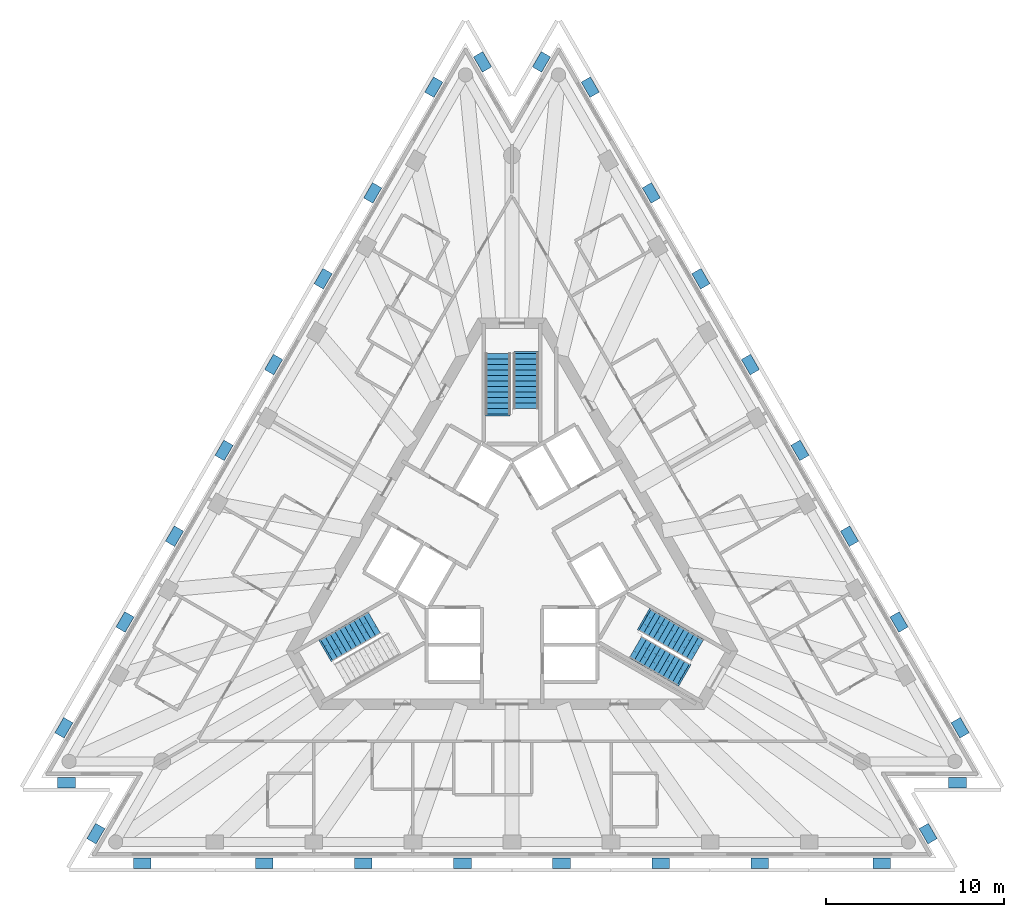
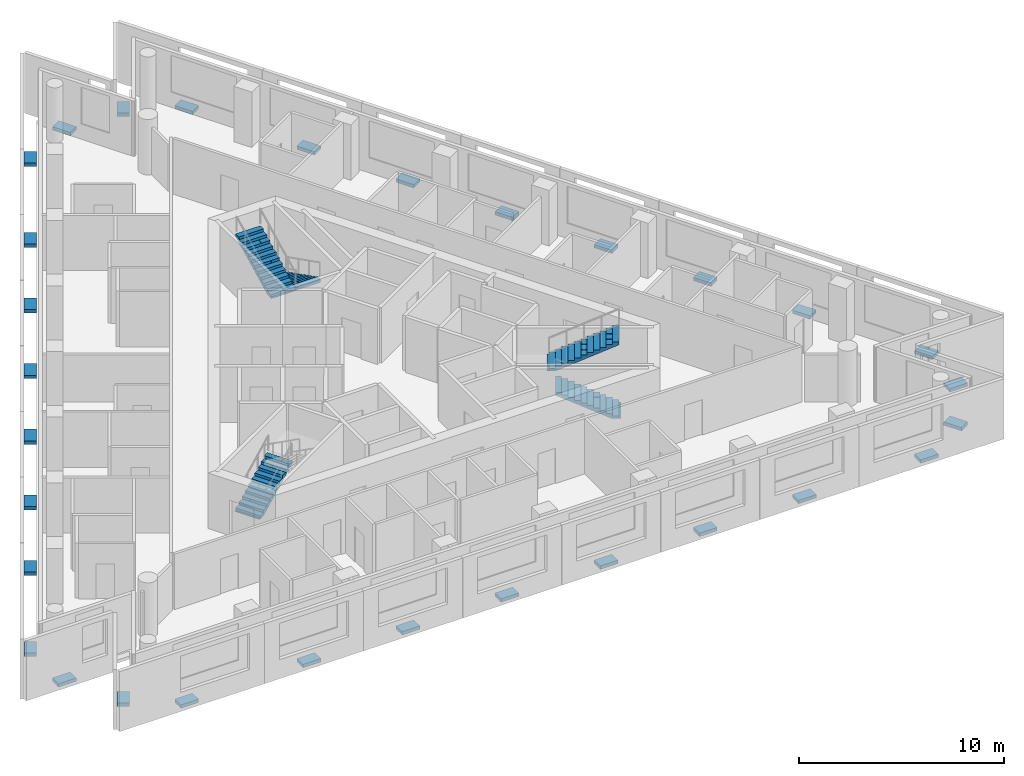
# One storey, part 8 of 10: 30 discrete accessories, 5 stair flights, 3 elements without a shape of their own.
"""IFC4 building model written with IfcOpenShell, lengths in metres."""

from ifc_helpers import new_model, si_unit, direction, frame, origin, origin_2d, place, context, subcontext, project, spatial, polyline, rectangle, outline, extrude, material, type_object, element, aggregate, save


model = new_model("IFC4")

# Units and contexts
model_context = context("Model", 3, precision=1e-05, world=origin(), true_north=direction((0.0, 1.0)))
body_context = subcontext(model_context, "Body", "Model", "MODEL_VIEW")
ifc_project = project(units=[si_unit("LENGTHUNIT", "METRE"), si_unit("AREAUNIT", "SQUARE_METRE"), si_unit("VOLUMEUNIT", "CUBIC_METRE"), si_unit("PLANEANGLEUNIT", "RADIAN"), si_unit("MASSUNIT", "GRAM", prefix="KILO")], contexts=[model_context])

# Site, building, storey
site_placement = place(None, origin())
site = spatial("IfcSite", under=ifc_project, at=site_placement, CompositionType="ELEMENT")
building_placement = place(site_placement, origin())
building = spatial("IfcBuilding", under=site, at=building_placement, Name="Triada Interchange Tower", CompositionType="ELEMENT")
storey_placement = place(building_placement, frame((0.0, 0.0, 271.89990234375)))
storey = spatial("IfcBuildingStorey", under=building, at=storey_placement, Name="L63", CompositionType="ELEMENT", Elevation=271.89990234375)

# Stair, stair flights
ifc_material_1 = material(Name="Concrete C35/45", Category="concrete")
stair_type = type_object("IfcStairType", Name="HALF TURN STAIR 1400", PredefinedType="HALF_TURN_STAIR", material=ifc_material_1)
stair_1_placement = place(storey_placement, origin())
stair_1 = element("IfcStair", 1, at=stair_1_placement, inside=storey, type_object=stair_type, Name="Exit stair S62-1", PredefinedType="HALF_TURN_STAIR")
stair_flight_type = type_object("IfcStairFlightType", Name="STRAIGHT STAIR FLIGHT 1400", PredefinedType="STRAIGHT", material=ifc_material_1)
stair_flight_1_placement = place(storey_placement, frame((0.800048828125, 11.60009765625, 0.0), z_axis=(0.0, 0.0, 1.0), x_axis=(0.0, -1.0, 0.0)))
stair_flight_1 = element("IfcStairFlight", 2, at=stair_flight_1_placement, type_object=stair_flight_type, Name="S62-1 flight 1", NumberOfRisers=11, NumberOfTreads=10, PredefinedType="STRAIGHT", RiserHeight=0.15652, TreadLength=0.31, context=body_context, shape_type="SweptSolid", body=[
    extrude(outline(polyline([(-0.10009765625, 0.0), (-0.10009765625, 0.02001953125), (0.0, 0.02001953125), (0.0, 0.156494140625), (0.31005859375, 0.156494140625), (0.31005859375, 0.31298828125), (0.6201171875, 0.31298828125), (0.6201171875, 0.469482421875), (0.929931640625, 0.469482421875), (0.929931640625, 0.6259765625), (1.239990234375, 0.6259765625), (1.239990234375, 0.78271484375), (1.550048828125, 0.78271484375), (1.550048828125, 0.939208984375), (1.860107421875, 0.939208984375), (1.860107421875, 1.095703125), (2.169921875, 1.095703125), (2.169921875, 1.252197265625), (2.47998046875, 1.252197265625), (2.47998046875, 1.40869140625), (2.7900390625, 1.40869140625), (2.7900390625, 1.565185546875), (3.10009765625, 1.565185546875), (3.10400390625, 1.565185546875), (3.10400390625, 1.7216796875), (3.10400390625, 1.397216796875), (0.33251953125, 0.0), (-0.10009765625, 0.0)])), frame((0.0, 0.699951171875, 0.0), z_axis=(0.0, -1.0, 0.0), x_axis=(1.0, 0.0, 0.0)), (0.0, 0.0, 1.0), 0.46533203125),
    extrude(outline(polyline([(-0.10009765625, 0.0), (-0.10009765625, 0.02001953125), (0.0, 0.02001953125), (0.0, 0.156494140625), (0.31005859375, 0.156494140625), (0.31005859375, 0.31298828125), (0.6201171875, 0.31298828125), (0.6201171875, 0.469482421875), (0.929931640625, 0.469482421875), (0.929931640625, 0.6259765625), (1.239990234375, 0.6259765625), (1.239990234375, 0.78271484375), (1.550048828125, 0.78271484375), (1.550048828125, 0.939208984375), (1.860107421875, 0.939208984375), (1.860107421875, 1.095703125), (2.169921875, 1.095703125), (2.169921875, 1.252197265625), (2.47998046875, 1.252197265625), (2.47998046875, 1.40869140625), (2.7900390625, 1.40869140625), (2.7900390625, 1.565185546875), (3.10009765625, 1.565185546875), (3.10400390625, 1.565185546875), (3.10400390625, 1.7216796875), (3.10400390625, 1.397216796875), (0.33251953125, 0.0), (-0.10009765625, 0.0)])), frame((0.0, 0.232666015625, 0.0), z_axis=(0.0, -1.0, 0.0), x_axis=(1.0, 0.0, 0.0)), (0.0, 0.0, 1.0), 0.46533203125),
    extrude(outline(polyline([(-0.10009765625, 0.0), (-0.10009765625, 0.02001953125), (0.0, 0.02001953125), (0.0, 0.156494140625), (0.31005859375, 0.156494140625), (0.31005859375, 0.31298828125), (0.6201171875, 0.31298828125), (0.6201171875, 0.469482421875), (0.929931640625, 0.469482421875), (0.929931640625, 0.6259765625), (1.239990234375, 0.6259765625), (1.239990234375, 0.78271484375), (1.550048828125, 0.78271484375), (1.550048828125, 0.939208984375), (1.860107421875, 0.939208984375), (1.860107421875, 1.095703125), (2.169921875, 1.095703125), (2.169921875, 1.252197265625), (2.47998046875, 1.252197265625), (2.47998046875, 1.40869140625), (2.7900390625, 1.40869140625), (2.7900390625, 1.565185546875), (3.10009765625, 1.565185546875), (3.10400390625, 1.565185546875), (3.10400390625, 1.7216796875), (3.10400390625, 1.397216796875), (0.33251953125, 0.0), (-0.10009765625, 0.0)])), frame((0.0, -0.234619140625, 0.0), z_axis=(0.0, -1.0, 0.0), x_axis=(1.0, 0.0, 0.0)), (0.0, 0.0, 1.0), 0.46533203125),
])
stair_flight_2_placement = place(storey_placement, frame((-0.800048828125, 8.18994140625, 1.7216796875), z_axis=(0.0, 0.0, 1.0), x_axis=(0.0, 1.0, 0.0)))
stair_flight_2 = element("IfcStairFlight", 3, at=stair_flight_2_placement, type_object=stair_flight_type, Name="S62-1 flight 2", NumberOfRisers=12, NumberOfTreads=11, PredefinedType="STRAIGHT", RiserHeight=0.15652, TreadLength=0.31, context=body_context, shape_type="SweptSolid", body=[
    extrude(outline(polyline([(-0.10009765625, 0.0), (-0.10009765625, 0.02001953125), (0.0, 0.02001953125), (0.0, 0.156494140625), (0.31005859375, 0.156494140625), (0.31005859375, 0.31298828125), (0.6201171875, 0.31298828125), (0.6201171875, 0.469482421875), (0.929931640625, 0.469482421875), (0.929931640625, 0.6259765625), (1.239990234375, 0.6259765625), (1.239990234375, 0.78271484375), (1.550048828125, 0.78271484375), (1.550048828125, 0.939208984375), (1.860107421875, 0.939208984375), (1.860107421875, 1.095703125), (2.169921875, 1.095703125), (2.169921875, 1.252197265625), (2.47998046875, 1.252197265625), (2.47998046875, 1.40869140625), (2.7900390625, 1.40869140625), (2.7900390625, 1.565185546875), (3.10009765625, 1.565185546875), (3.10009765625, 1.7216796875), (3.409912109375, 1.7216796875), (3.4140625, 1.7216796875), (3.4140625, 1.878173828125), (3.4140625, 1.5537109375), (0.33251953125, 0.0), (-0.10009765625, 0.0)])), frame((0.0, 0.699951171875, 0.0), z_axis=(0.0, -1.0, 0.0), x_axis=(1.0, 0.0, 0.0)), (0.0, 0.0, 1.0), 0.46533203125),
    extrude(outline(polyline([(-0.10009765625, 0.0), (-0.10009765625, 0.02001953125), (0.0, 0.02001953125), (0.0, 0.156494140625), (0.31005859375, 0.156494140625), (0.31005859375, 0.31298828125), (0.6201171875, 0.31298828125), (0.6201171875, 0.469482421875), (0.929931640625, 0.469482421875), (0.929931640625, 0.6259765625), (1.239990234375, 0.6259765625), (1.239990234375, 0.78271484375), (1.550048828125, 0.78271484375), (1.550048828125, 0.939208984375), (1.860107421875, 0.939208984375), (1.860107421875, 1.095703125), (2.169921875, 1.095703125), (2.169921875, 1.252197265625), (2.47998046875, 1.252197265625), (2.47998046875, 1.40869140625), (2.7900390625, 1.40869140625), (2.7900390625, 1.565185546875), (3.10009765625, 1.565185546875), (3.10009765625, 1.7216796875), (3.409912109375, 1.7216796875), (3.4140625, 1.7216796875), (3.4140625, 1.878173828125), (3.4140625, 1.5537109375), (0.33251953125, 0.0), (-0.10009765625, 0.0)])), frame((0.0, 0.232666015625, 0.0), z_axis=(0.0, -1.0, 0.0), x_axis=(1.0, 0.0, 0.0)), (0.0, 0.0, 1.0), 0.46533203125),
    extrude(outline(polyline([(-0.10009765625, 0.0), (-0.10009765625, 0.02001953125), (0.0, 0.02001953125), (0.0, 0.156494140625), (0.31005859375, 0.156494140625), (0.31005859375, 0.31298828125), (0.6201171875, 0.31298828125), (0.6201171875, 0.469482421875), (0.929931640625, 0.469482421875), (0.929931640625, 0.6259765625), (1.239990234375, 0.6259765625), (1.239990234375, 0.78271484375), (1.550048828125, 0.78271484375), (1.550048828125, 0.939208984375), (1.860107421875, 0.939208984375), (1.860107421875, 1.095703125), (2.169921875, 1.095703125), (2.169921875, 1.252197265625), (2.47998046875, 1.252197265625), (2.47998046875, 1.40869140625), (2.7900390625, 1.40869140625), (2.7900390625, 1.565185546875), (3.10009765625, 1.565185546875), (3.10009765625, 1.7216796875), (3.409912109375, 1.7216796875), (3.4140625, 1.7216796875), (3.4140625, 1.878173828125), (3.4140625, 1.5537109375), (0.33251953125, 0.0), (-0.10009765625, 0.0)])), frame((0.0, -0.234619140625, 0.0), z_axis=(0.0, -1.0, 0.0), x_axis=(1.0, 0.0, 0.0)), (0.0, 0.0, 1.0), 0.46533203125),
])
aggregate(stair_1, [stair_flight_1, stair_flight_2])

# Stair, stair flight
stair_2_placement = place(storey_placement, origin())
stair_2 = element("IfcStair", 4, at=stair_2_placement, inside=storey, type_object=stair_type, Name="Exit stair S62-2", PredefinedType="HALF_TURN_STAIR")
stair_flight_3_placement = place(storey_placement, frame((-10.446044921875, -5.10693359375, 0.0), z_axis=(0.0, 0.0, 1.0), x_axis=(0.866025403784, 0.5, 0.0)))
stair_flight_3 = element("IfcStairFlight", 5, at=stair_flight_3_placement, type_object=stair_flight_type, Name="S62-2 flight 1", NumberOfRisers=11, NumberOfTreads=10, PredefinedType="STRAIGHT", RiserHeight=0.15652, TreadLength=0.31, context=body_context, shape_type="SweptSolid", body=[
    extrude(outline(polyline([(-0.10009765625, 0.0), (-0.10009765625, 0.02001953125), (0.0, 0.02001953125), (0.0, 0.156494140625), (0.31005859375, 0.156494140625), (0.31005859375, 0.31298828125), (0.6201171875, 0.31298828125), (0.6201171875, 0.469482421875), (0.929931640625, 0.469482421875), (0.929931640625, 0.6259765625), (1.239990234375, 0.6259765625), (1.239990234375, 0.78271484375), (1.550048828125, 0.78271484375), (1.550048828125, 0.939208984375), (1.860107421875, 0.939208984375), (1.860107421875, 1.095703125), (2.169921875, 1.095703125), (2.169921875, 1.252197265625), (2.47998046875, 1.252197265625), (2.47998046875, 1.40869140625), (2.7900390625, 1.40869140625), (2.7900390625, 1.565185546875), (3.10009765625, 1.565185546875), (3.10400390625, 1.565185546875), (3.10400390625, 1.7216796875), (3.10400390625, 1.397216796875), (0.33251953125, 0.0), (-0.10009765625, 0.0)])), frame((0.0, 0.699951171875, 0.0), z_axis=(0.0, -1.0, 0.0), x_axis=(1.0, 0.0, 0.0)), (0.0, 0.0, 1.0), 0.46533203125),
    extrude(outline(polyline([(-0.10009765625, 0.0), (-0.10009765625, 0.02001953125), (0.0, 0.02001953125), (0.0, 0.156494140625), (0.31005859375, 0.156494140625), (0.31005859375, 0.31298828125), (0.6201171875, 0.31298828125), (0.6201171875, 0.469482421875), (0.929931640625, 0.469482421875), (0.929931640625, 0.6259765625), (1.239990234375, 0.6259765625), (1.239990234375, 0.78271484375), (1.550048828125, 0.78271484375), (1.550048828125, 0.939208984375), (1.860107421875, 0.939208984375), (1.860107421875, 1.095703125), (2.169921875, 1.095703125), (2.169921875, 1.252197265625), (2.47998046875, 1.252197265625), (2.47998046875, 1.40869140625), (2.7900390625, 1.40869140625), (2.7900390625, 1.565185546875), (3.10009765625, 1.565185546875), (3.10400390625, 1.565185546875), (3.10400390625, 1.7216796875), (3.10400390625, 1.397216796875), (0.33251953125, 0.0), (-0.10009765625, 0.0)])), frame((0.0, 0.232666015625, 0.0), z_axis=(0.0, -1.0, 0.0), x_axis=(1.0, 0.0, 0.0)), (0.0, 0.0, 1.0), 0.46533203125),
    extrude(outline(polyline([(-0.10009765625, 0.0), (-0.10009765625, 0.02001953125), (0.0, 0.02001953125), (0.0, 0.156494140625), (0.31005859375, 0.156494140625), (0.31005859375, 0.31298828125), (0.6201171875, 0.31298828125), (0.6201171875, 0.469482421875), (0.929931640625, 0.469482421875), (0.929931640625, 0.6259765625), (1.239990234375, 0.6259765625), (1.239990234375, 0.78271484375), (1.550048828125, 0.78271484375), (1.550048828125, 0.939208984375), (1.860107421875, 0.939208984375), (1.860107421875, 1.095703125), (2.169921875, 1.095703125), (2.169921875, 1.252197265625), (2.47998046875, 1.252197265625), (2.47998046875, 1.40869140625), (2.7900390625, 1.40869140625), (2.7900390625, 1.565185546875), (3.10009765625, 1.565185546875), (3.10400390625, 1.565185546875), (3.10400390625, 1.7216796875), (3.10400390625, 1.397216796875), (0.33251953125, 0.0), (-0.10009765625, 0.0)])), frame((0.0, -0.234619140625, 0.0), z_axis=(0.0, -1.0, 0.0), x_axis=(1.0, 0.0, 0.0)), (0.0, 0.0, 1.0), 0.46533203125),
])
aggregate(stair_2, [stair_flight_3])

# Stair, stair flights
stair_3_placement = place(storey_placement, origin())
stair_3 = element("IfcStair", 6, at=stair_3_placement, inside=storey, type_object=stair_type, Name="Exit stair S62-3", PredefinedType="HALF_TURN_STAIR")
stair_flight_4_placement = place(storey_placement, frame((9.64599609375, -6.492919921875, 0.0), z_axis=(0.0, 0.0, 1.0), x_axis=(-0.866025403784, 0.5, 0.0)))
stair_flight_4 = element("IfcStairFlight", 7, at=stair_flight_4_placement, type_object=stair_flight_type, Name="S62-3 flight 1", NumberOfRisers=11, NumberOfTreads=10, PredefinedType="STRAIGHT", RiserHeight=0.15652, TreadLength=0.31, context=body_context, shape_type="SweptSolid", body=[
    extrude(outline(polyline([(-0.10009765625, 0.0), (-0.10009765625, 0.02001953125), (0.0, 0.02001953125), (0.0, 0.156494140625), (0.31005859375, 0.156494140625), (0.31005859375, 0.31298828125), (0.6201171875, 0.31298828125), (0.6201171875, 0.469482421875), (0.929931640625, 0.469482421875), (0.929931640625, 0.6259765625), (1.239990234375, 0.6259765625), (1.239990234375, 0.78271484375), (1.550048828125, 0.78271484375), (1.550048828125, 0.939208984375), (1.860107421875, 0.939208984375), (1.860107421875, 1.095703125), (2.169921875, 1.095703125), (2.169921875, 1.252197265625), (2.47998046875, 1.252197265625), (2.47998046875, 1.40869140625), (2.7900390625, 1.40869140625), (2.7900390625, 1.565185546875), (3.10009765625, 1.565185546875), (3.10400390625, 1.565185546875), (3.10400390625, 1.7216796875), (3.10400390625, 1.397216796875), (0.33251953125, 0.0), (-0.10009765625, 0.0)])), frame((0.0, 0.699951171875, 0.0), z_axis=(0.0, -1.0, 0.0), x_axis=(1.0, 0.0, 0.0)), (0.0, 0.0, 1.0), 0.46533203125),
    extrude(outline(polyline([(-0.10009765625, 0.0), (-0.10009765625, 0.02001953125), (0.0, 0.02001953125), (0.0, 0.156494140625), (0.31005859375, 0.156494140625), (0.31005859375, 0.31298828125), (0.6201171875, 0.31298828125), (0.6201171875, 0.469482421875), (0.929931640625, 0.469482421875), (0.929931640625, 0.6259765625), (1.239990234375, 0.6259765625), (1.239990234375, 0.78271484375), (1.550048828125, 0.78271484375), (1.550048828125, 0.939208984375), (1.860107421875, 0.939208984375), (1.860107421875, 1.095703125), (2.169921875, 1.095703125), (2.169921875, 1.252197265625), (2.47998046875, 1.252197265625), (2.47998046875, 1.40869140625), (2.7900390625, 1.40869140625), (2.7900390625, 1.565185546875), (3.10009765625, 1.565185546875), (3.10400390625, 1.565185546875), (3.10400390625, 1.7216796875), (3.10400390625, 1.397216796875), (0.33251953125, 0.0), (-0.10009765625, 0.0)])), frame((0.0, 0.232666015625, 0.0), z_axis=(0.0, -1.0, 0.0), x_axis=(1.0, 0.0, 0.0)), (0.0, 0.0, 1.0), 0.46533203125),
    extrude(outline(polyline([(-0.10009765625, 0.0), (-0.10009765625, 0.02001953125), (0.0, 0.02001953125), (0.0, 0.156494140625), (0.31005859375, 0.156494140625), (0.31005859375, 0.31298828125), (0.6201171875, 0.31298828125), (0.6201171875, 0.469482421875), (0.929931640625, 0.469482421875), (0.929931640625, 0.6259765625), (1.239990234375, 0.6259765625), (1.239990234375, 0.78271484375), (1.550048828125, 0.78271484375), (1.550048828125, 0.939208984375), (1.860107421875, 0.939208984375), (1.860107421875, 1.095703125), (2.169921875, 1.095703125), (2.169921875, 1.252197265625), (2.47998046875, 1.252197265625), (2.47998046875, 1.40869140625), (2.7900390625, 1.40869140625), (2.7900390625, 1.565185546875), (3.10009765625, 1.565185546875), (3.10400390625, 1.565185546875), (3.10400390625, 1.7216796875), (3.10400390625, 1.397216796875), (0.33251953125, 0.0), (-0.10009765625, 0.0)])), frame((0.0, -0.234619140625, 0.0), z_axis=(0.0, -1.0, 0.0), x_axis=(1.0, 0.0, 0.0)), (0.0, 0.0, 1.0), 0.46533203125),
])
stair_flight_5_placement = place(storey_placement, frame((7.492919921875, -3.402099609375, 1.7216796875), z_axis=(0.0, 0.0, 1.0), x_axis=(0.866025403784, -0.5, 0.0)))
stair_flight_5 = element("IfcStairFlight", 8, at=stair_flight_5_placement, type_object=stair_flight_type, Name="S62-3 flight 2", NumberOfRisers=12, NumberOfTreads=11, PredefinedType="STRAIGHT", RiserHeight=0.15652, TreadLength=0.31, context=body_context, shape_type="SweptSolid", body=[
    extrude(outline(polyline([(-0.10009765625, 0.0), (-0.10009765625, 0.02001953125), (0.0, 0.02001953125), (0.0, 0.156494140625), (0.31005859375, 0.156494140625), (0.31005859375, 0.31298828125), (0.6201171875, 0.31298828125), (0.6201171875, 0.469482421875), (0.929931640625, 0.469482421875), (0.929931640625, 0.6259765625), (1.239990234375, 0.6259765625), (1.239990234375, 0.78271484375), (1.550048828125, 0.78271484375), (1.550048828125, 0.939208984375), (1.860107421875, 0.939208984375), (1.860107421875, 1.095703125), (2.169921875, 1.095703125), (2.169921875, 1.252197265625), (2.47998046875, 1.252197265625), (2.47998046875, 1.40869140625), (2.7900390625, 1.40869140625), (2.7900390625, 1.565185546875), (3.10009765625, 1.565185546875), (3.10009765625, 1.7216796875), (3.409912109375, 1.7216796875), (3.4140625, 1.7216796875), (3.4140625, 1.878173828125), (3.4140625, 1.5537109375), (0.33251953125, 0.0), (-0.10009765625, 0.0)])), frame((0.0, 0.699951171875, 0.0), z_axis=(0.0, -1.0, 0.0), x_axis=(1.0, 0.0, 0.0)), (0.0, 0.0, 1.0), 0.46533203125),
    extrude(outline(polyline([(-0.10009765625, 0.0), (-0.10009765625, 0.02001953125), (0.0, 0.02001953125), (0.0, 0.156494140625), (0.31005859375, 0.156494140625), (0.31005859375, 0.31298828125), (0.6201171875, 0.31298828125), (0.6201171875, 0.469482421875), (0.929931640625, 0.469482421875), (0.929931640625, 0.6259765625), (1.239990234375, 0.6259765625), (1.239990234375, 0.78271484375), (1.550048828125, 0.78271484375), (1.550048828125, 0.939208984375), (1.860107421875, 0.939208984375), (1.860107421875, 1.095703125), (2.169921875, 1.095703125), (2.169921875, 1.252197265625), (2.47998046875, 1.252197265625), (2.47998046875, 1.40869140625), (2.7900390625, 1.40869140625), (2.7900390625, 1.565185546875), (3.10009765625, 1.565185546875), (3.10009765625, 1.7216796875), (3.409912109375, 1.7216796875), (3.4140625, 1.7216796875), (3.4140625, 1.878173828125), (3.4140625, 1.5537109375), (0.33251953125, 0.0), (-0.10009765625, 0.0)])), frame((0.0, 0.232666015625, 0.0), z_axis=(0.0, -1.0, 0.0), x_axis=(1.0, 0.0, 0.0)), (0.0, 0.0, 1.0), 0.46533203125),
    extrude(outline(polyline([(-0.10009765625, 0.0), (-0.10009765625, 0.02001953125), (0.0, 0.02001953125), (0.0, 0.156494140625), (0.31005859375, 0.156494140625), (0.31005859375, 0.31298828125), (0.6201171875, 0.31298828125), (0.6201171875, 0.469482421875), (0.929931640625, 0.469482421875), (0.929931640625, 0.6259765625), (1.239990234375, 0.6259765625), (1.239990234375, 0.78271484375), (1.550048828125, 0.78271484375), (1.550048828125, 0.939208984375), (1.860107421875, 0.939208984375), (1.860107421875, 1.095703125), (2.169921875, 1.095703125), (2.169921875, 1.252197265625), (2.47998046875, 1.252197265625), (2.47998046875, 1.40869140625), (2.7900390625, 1.40869140625), (2.7900390625, 1.565185546875), (3.10009765625, 1.565185546875), (3.10009765625, 1.7216796875), (3.409912109375, 1.7216796875), (3.4140625, 1.7216796875), (3.4140625, 1.878173828125), (3.4140625, 1.5537109375), (0.33251953125, 0.0), (-0.10009765625, 0.0)])), frame((0.0, -0.234619140625, 0.0), z_axis=(0.0, -1.0, 0.0), x_axis=(1.0, 0.0, 0.0)), (0.0, 0.0, 1.0), 0.46533203125),
])
aggregate(stair_3, [stair_flight_4, stair_flight_5])

# Discrete accessories
ifc_material_2 = material(Name="Steel S355", Category="steel")
discrete_accessory_type = type_object("IfcDiscreteAccessoryType", Name="Steel bracket outer skin", PredefinedType="BRACKET", material=ifc_material_2)
for number, where, z_axis, x_axis, name in (
    (9, (-4.406982421875, 26.60107421875, -0.27001953125), (0.0, 0.0, 1.0), (-0.866029060226, 0.499993666804, 0.0), "Bracket L63 01"),
    (10, (-7.846923828125, 20.64306640625, -0.27001953125), (0.0, 0.0, 1.0), (-0.866029060226, 0.499993666804, 0.0), "Bracket L63 02"),
    (11, (-10.637939453125, 15.80908203125, -0.27001953125), (0.0, 0.0, 1.0), (-0.866029060226, 0.499993666804, 0.0), "Bracket L63 03"),
    (12, (-13.427978515625, 10.97509765625, -0.27001953125), (0.0, 0.0, 1.0), (-0.866029060226, 0.499993666804, 0.0), "Bracket L63 04"),
    (13, (-16.218994140625, 6.14208984375, -0.27001953125), (0.0, 0.0, 1.0), (-0.866029060226, 0.499993666804, 0.0), "Bracket L63 05"),
    (14, (-19.010009765625, 1.30810546875, -0.27001953125), (0.0, 0.0, 1.0), (-0.866029060226, 0.499993666804, 0.0), "Bracket L63 06"),
    (15, (-21.800048828125, -3.52587890625, -0.27001953125), (0.0, 0.0, 1.0), (-0.866029060226, 0.499993666804, 0.0), "Bracket L63 07"),
    (16, (-25.240966796875, -9.48388671875, -0.27001953125), (0.0, 0.0, 1.0), (-0.866029060226, 0.499993666804, 0.0), "Bracket L63 08"),
    (17, (-25.096923828125, -12.575927734375, -0.27001953125), (0.0, 0.0, 1.0), (0.0, -1.0, 0.0), "Bracket L63 09"),
    (18, (-23.43994140625, -15.447021484375, -0.27001953125), (0.0, 0.0, 1.0), (-0.866004555074, 0.500036109288, 0.0), "Bracket L63 10"),
    (19, (-20.833984375, -17.116943359375, -0.27001953125), (0.0, 0.0, 1.0), (0.0, -1.0, 0.0), "Bracket L63 11"),
    (20, (-13.9541015625, -17.116943359375, -0.27001953125), (0.0, 0.0, 1.0), (0.0, -1.0, 0.0), "Bracket L63 12"),
    (21, (-8.3720703125, -17.116943359375, -0.27001953125), (0.0, 0.0, 1.0), (0.0, -1.0, 0.0), "Bracket L63 13"),
    (22, (-2.791015625, -17.116943359375, -0.27001953125), (0.0, 0.0, 1.0), (0.0, -1.0, 0.0), "Bracket L63 14"),
    (23, (2.791015625, -17.116943359375, -0.27001953125), (0.0, 0.0, 1.0), (0.0, -1.0, 0.0), "Bracket L63 15"),
    (24, (8.3720703125, -17.116943359375, -0.27001953125), (0.0, 0.0, 1.0), (0.0, -1.0, 0.0), "Bracket L63 16"),
    (25, (13.9541015625, -17.116943359375, -0.27001953125), (0.0, 0.0, 1.0), (0.0, -1.0, 0.0), "Bracket L63 17"),
    (26, (20.833984375, -17.116943359375, -0.27001953125), (0.0, 0.0, 1.0), (0.0, -1.0, 0.0), "Bracket L63 18"),
    (27, (23.43994140625, -15.447021484375, -0.27001953125), (0.0, 0.0, 1.0), (0.866004555074, 0.500036109288, 0.0), "Bracket L63 19"),
    (28, (25.096923828125, -12.575927734375, -0.27001953125), (0.0, 0.0, 1.0), (0.0, -1.0, 0.0), "Bracket L63 20"),
    (29, (25.240966796875, -9.48388671875, -0.27001953125), (0.0, 0.0, 1.0), (0.866029060226, 0.499993666804, 0.0), "Bracket L63 21"),
    (30, (21.800048828125, -3.52587890625, -0.27001953125), (0.0, 0.0, 1.0), (0.866029060226, 0.499993666804, 0.0), "Bracket L63 22"),
    (31, (19.010009765625, 1.30810546875, -0.27001953125), (0.0, 0.0, 1.0), (0.866029060226, 0.499993666804, 0.0), "Bracket L63 23"),
    (32, (16.218994140625, 6.14208984375, -0.27001953125), (0.0, 0.0, 1.0), (0.866029060226, 0.499993666804, 0.0), "Bracket L63 24"),
    (33, (13.427978515625, 10.97509765625, -0.27001953125), (0.0, 0.0, 1.0), (0.866029060226, 0.499993666804, 0.0), "Bracket L63 25"),
    (34, (10.637939453125, 15.80908203125, -0.27001953125), (0.0, 0.0, 1.0), (0.866029060226, 0.499993666804, 0.0), "Bracket L63 26"),
    (35, (7.846923828125, 20.64306640625, -0.27001953125), (0.0, 0.0, 1.0), (0.866029060226, 0.499993666804, 0.0), "Bracket L63 27"),
    (36, (4.406982421875, 26.60107421875, -0.27001953125), (0.0, 0.0, 1.0), (0.866029060226, 0.499993666804, 0.0), "Bracket L63 28"),
    (37, (1.657958984375, 28.02294921875, -0.27001953125), (0.0, 0.0, 1.0), (-0.865956865297, 0.500118693357, 0.0), "Bracket L63 29"),
    (38, (-1.657958984375, 28.02294921875, -0.27001953125), (0.0, 0.0, 1.0), (0.865956865297, 0.500118693357, 0.0), "Bracket L63 30"),
):
    element("IfcDiscreteAccessory", number, at=place(storey_placement, frame(where, z_axis=z_axis, x_axis=x_axis)), inside=storey, type_object=discrete_accessory_type, Name=name, PredefinedType="BRACKET", context=body_context, shape_type="SweptSolid", body=[
        extrude(rectangle(XDim=0.60009765625, YDim=1.0, at=origin_2d()), origin(), (0.0, 0.0, 1.0), 0.199951171875),
    ])

save(model, "model.ifc")
